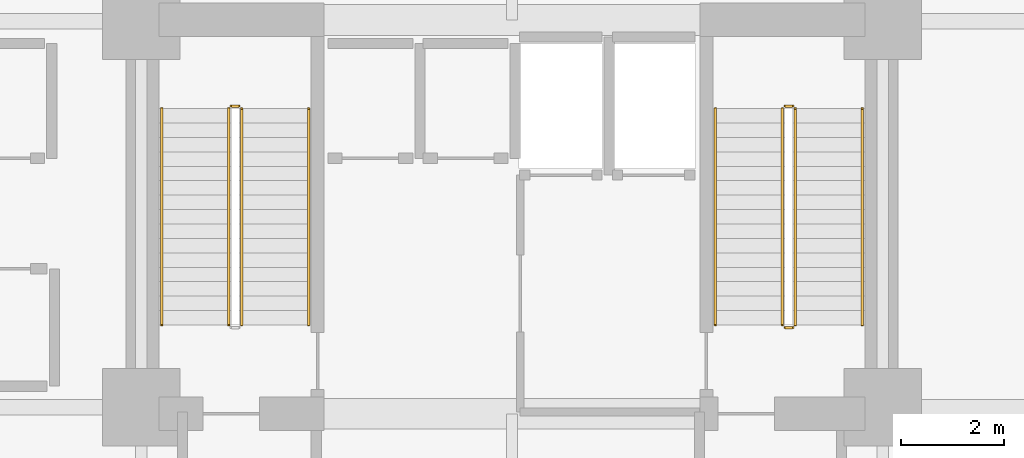
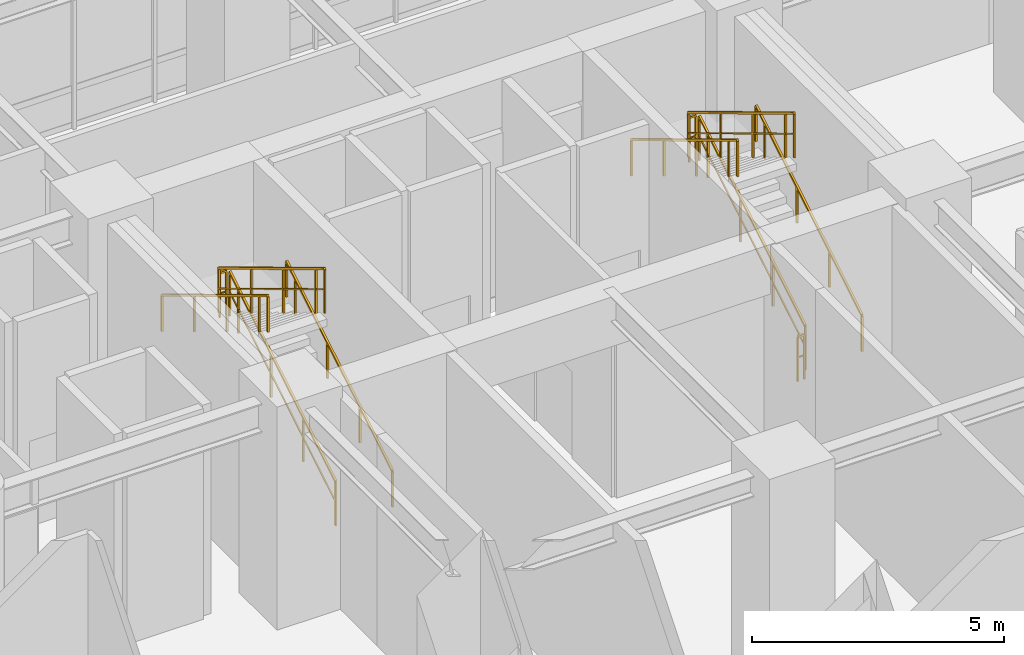
# One storey, part 21 of 22: 11 railings.
"""IFC4 building model written with IfcOpenShell, lengths in metres."""

from ifc_helpers import new_model, si_unit, direction, frame, origin, origin_2d, place, context, subcontext, project, spatial, rectangle, extrude, material, type_object, element, save


model = new_model("IFC4")

# Units and contexts
model_context = context("Model", 3, precision=1e-05, world=origin(), true_north=direction((0.0, 1.0)))
body_context = subcontext(model_context, "Body", "Model", "MODEL_VIEW")
ifc_project = project(units=[si_unit("LENGTHUNIT", "METRE"), si_unit("AREAUNIT", "SQUARE_METRE"), si_unit("VOLUMEUNIT", "CUBIC_METRE"), si_unit("PLANEANGLEUNIT", "RADIAN"), si_unit("MASSUNIT", "GRAM", prefix="KILO")], contexts=[model_context])

# Site, building, storey
site_placement = place(None, origin())
site = spatial("IfcSite", under=ifc_project, at=site_placement, CompositionType="ELEMENT")
building_placement = place(site_placement, origin())
building = spatial("IfcBuilding", under=site, at=building_placement, Name="Kaliganga Portal Commons", CompositionType="ELEMENT")
storey_placement = place(building_placement, origin())
storey = spatial("IfcBuildingStorey", under=building, at=storey_placement, Name="L00", CompositionType="ELEMENT", Elevation=0.0)

# Railings
ifc_material_1 = material(Name="Galvanized Painted Steel Balustrade", Category="steel")
railing_type_1 = type_object("IfcRailingType", Name="RLG-STAIR-GRD", PredefinedType="GUARDRAIL", material=ifc_material_1)
railing_1_placement = place(storey_placement, frame((16.35009765625, 30.25, 0.168701171875)))
element("IfcRailing", 1, at=railing_1_placement, inside=storey, type_object=railing_type_1, Name="L00 ST-A1 stair guard 1", PredefinedType="GUARDRAIL", context=body_context, shape_type="SweptSolid", body=[
    extrude(rectangle(XDim=0.048095703125, YDim=0.048095703125, at=origin_2d()), frame((0.0, 0.0, 1.072021484375), z_axis=(0.0, 0.856476492594, 0.516186030065), x_axis=(-1.0, 0.0, 0.0)), (0.0, 0.0, 1.0), 4.90380859375),
    extrude(rectangle(XDim=0.028076171875, YDim=0.028076171875, at=origin_2d()), frame((0.0, 0.0, 0.572021484375), z_axis=(0.0, 0.856476492594, 0.516186030065), x_axis=(-1.0, 0.0, 0.0)), (0.0, 0.0, 1.0), 4.90380859375),
    extrude(rectangle(XDim=0.0419921875, YDim=0.0419921875, at=origin_2d()), origin(), (0.0, 0.0, 1.0), 1.052001953125),
    extrude(rectangle(XDim=0.0419921875, YDim=0.0419921875, at=origin_2d()), frame((0.0, 1.28466796875, 0.774169921875)), (0.0, 0.0, 1.0), 1.052001953125),
    extrude(rectangle(XDim=0.0419921875, YDim=0.0419921875, at=origin_2d()), frame((0.0, 2.5693359375, 1.548583984375)), (0.0, 0.0, 1.0), 1.052001953125),
    extrude(rectangle(XDim=0.0419921875, YDim=0.0419921875, at=origin_2d()), frame((0.0, 3.854248046875, 2.32275390625)), (0.0, 0.0, 1.0), 1.052001953125),
    extrude(rectangle(XDim=0.0419921875, YDim=0.0419921875, at=origin_2d()), frame((0.0, 4.199951171875, 2.53125)), (0.0, 0.0, 1.0), 1.052001953125),
])
railing_2_placement = place(storey_placement, frame((16.300048828125, 34.5, 2.699951171875)))
element("IfcRailing", 2, at=railing_2_placement, inside=storey, type_object=railing_type_1, Name="L00 ST-A1 stair guard 2", PredefinedType="GUARDRAIL", context=body_context, shape_type="SweptSolid", body=[
    extrude(rectangle(XDim=0.048095703125, YDim=0.048095703125, at=origin_2d()), frame((0.0, 0.0, 1.076171875), z_axis=(-1.0, 0.0, 0.0), x_axis=(0.0, -1.0, 0.0)), (0.0, 0.0, 1.0), 0.150146484375),
    extrude(rectangle(XDim=0.028076171875, YDim=0.028076171875, at=origin_2d()), frame((0.0, 0.0, 0.572021484375), z_axis=(-1.0, 0.0, 0.0), x_axis=(0.0, -1.0, 0.0)), (0.0, 0.0, 1.0), 0.150146484375),
    extrude(rectangle(XDim=0.0419921875, YDim=0.0419921875, at=origin_2d()), origin(), (0.0, 0.0, 1.0), 1.052001953125),
    extrude(rectangle(XDim=0.0419921875, YDim=0.0419921875, at=origin_2d()), frame((-0.150146484375, 0.0, 0.0)), (0.0, 0.0, 1.0), 1.052001953125),
])
railing_3_placement = place(storey_placement, frame((16.10009765625, 34.449951171875, 2.86865234375)))
element("IfcRailing", 3, at=railing_3_placement, inside=storey, type_object=railing_type_1, Name="L00 ST-A1 stair guard 3", PredefinedType="GUARDRAIL", context=body_context, shape_type="SweptSolid", body=[
    extrude(rectangle(XDim=0.048095703125, YDim=0.048095703125, at=origin_2d()), frame((0.0, 0.0, 1.072021484375), z_axis=(0.0, -0.856476492594, 0.516186030065), x_axis=(1.0, 0.0, 0.0)), (0.0, 0.0, 1.0), 4.90380859375),
    extrude(rectangle(XDim=0.028076171875, YDim=0.028076171875, at=origin_2d()), frame((0.0, 0.0, 0.572021484375), z_axis=(0.0, -0.856476492594, 0.516186030065), x_axis=(1.0, 0.0, 0.0)), (0.0, 0.0, 1.0), 4.90380859375),
    extrude(rectangle(XDim=0.0419921875, YDim=0.0419921875, at=origin_2d()), origin(), (0.0, 0.0, 1.0), 1.052001953125),
    extrude(rectangle(XDim=0.0419921875, YDim=0.0419921875, at=origin_2d()), frame((0.0, -1.28466796875, 0.774169921875)), (0.0, 0.0, 1.0), 1.052001953125),
    extrude(rectangle(XDim=0.0419921875, YDim=0.0419921875, at=origin_2d()), frame((0.0, -2.5693359375, 1.548583984375)), (0.0, 0.0, 1.0), 1.052001953125),
    extrude(rectangle(XDim=0.0419921875, YDim=0.0419921875, at=origin_2d()), frame((0.0, -3.854248046875, 2.32275390625)), (0.0, 0.0, 1.0), 1.052001953125),
    extrude(rectangle(XDim=0.0419921875, YDim=0.0419921875, at=origin_2d()), frame((0.0, -4.199951171875, 2.53125)), (0.0, 0.0, 1.0), 1.052001953125),
])
railing_4_placement = place(storey_placement, frame((27.10009765625, 30.25, 0.168701171875)))
element("IfcRailing", 4, at=railing_4_placement, inside=storey, type_object=railing_type_1, Name="L00 ST-A2 stair guard 1", PredefinedType="GUARDRAIL", context=body_context, shape_type="SweptSolid", body=[
    extrude(rectangle(XDim=0.048095703125, YDim=0.048095703125, at=origin_2d()), frame((0.0, 0.0, 1.072021484375), z_axis=(0.0, 0.856476492594, 0.516186030065), x_axis=(-1.0, 0.0, 0.0)), (0.0, 0.0, 1.0), 4.90380859375),
    extrude(rectangle(XDim=0.028076171875, YDim=0.028076171875, at=origin_2d()), frame((0.0, 0.0, 0.572021484375), z_axis=(0.0, 0.856476492594, 0.516186030065), x_axis=(-1.0, 0.0, 0.0)), (0.0, 0.0, 1.0), 4.90380859375),
    extrude(rectangle(XDim=0.0419921875, YDim=0.0419921875, at=origin_2d()), origin(), (0.0, 0.0, 1.0), 1.052001953125),
    extrude(rectangle(XDim=0.0419921875, YDim=0.0419921875, at=origin_2d()), frame((0.0, 1.28466796875, 0.774169921875)), (0.0, 0.0, 1.0), 1.052001953125),
    extrude(rectangle(XDim=0.0419921875, YDim=0.0419921875, at=origin_2d()), frame((0.0, 2.5693359375, 1.548583984375)), (0.0, 0.0, 1.0), 1.052001953125),
    extrude(rectangle(XDim=0.0419921875, YDim=0.0419921875, at=origin_2d()), frame((0.0, 3.854248046875, 2.32275390625)), (0.0, 0.0, 1.0), 1.052001953125),
    extrude(rectangle(XDim=0.0419921875, YDim=0.0419921875, at=origin_2d()), frame((0.0, 4.199951171875, 2.53125)), (0.0, 0.0, 1.0), 1.052001953125),
])
railing_5_placement = place(storey_placement, frame((27.050048828125, 34.5, 2.699951171875)))
element("IfcRailing", 5, at=railing_5_placement, inside=storey, type_object=railing_type_1, Name="L00 ST-A2 stair guard 2", PredefinedType="GUARDRAIL", context=body_context, shape_type="SweptSolid", body=[
    extrude(rectangle(XDim=0.048095703125, YDim=0.048095703125, at=origin_2d()), frame((0.0, 0.0, 1.076171875), z_axis=(-1.0, 0.0, 0.0), x_axis=(0.0, -1.0, 0.0)), (0.0, 0.0, 1.0), 0.150146484375),
    extrude(rectangle(XDim=0.028076171875, YDim=0.028076171875, at=origin_2d()), frame((0.0, 0.0, 0.572021484375), z_axis=(-1.0, 0.0, 0.0), x_axis=(0.0, -1.0, 0.0)), (0.0, 0.0, 1.0), 0.150146484375),
    extrude(rectangle(XDim=0.0419921875, YDim=0.0419921875, at=origin_2d()), origin(), (0.0, 0.0, 1.0), 1.052001953125),
    extrude(rectangle(XDim=0.0419921875, YDim=0.0419921875, at=origin_2d()), frame((-0.150146484375, 0.0, 0.0)), (0.0, 0.0, 1.0), 1.052001953125),
])
railing_6_placement = place(storey_placement, frame((26.85009765625, 34.449951171875, 2.86865234375)))
element("IfcRailing", 6, at=railing_6_placement, inside=storey, type_object=railing_type_1, Name="L00 ST-A2 stair guard 3", PredefinedType="GUARDRAIL", context=body_context, shape_type="SweptSolid", body=[
    extrude(rectangle(XDim=0.048095703125, YDim=0.048095703125, at=origin_2d()), frame((0.0, 0.0, 1.072021484375), z_axis=(0.0, -0.856476492594, 0.516186030065), x_axis=(1.0, 0.0, 0.0)), (0.0, 0.0, 1.0), 4.90380859375),
    extrude(rectangle(XDim=0.028076171875, YDim=0.028076171875, at=origin_2d()), frame((0.0, 0.0, 0.572021484375), z_axis=(0.0, -0.856476492594, 0.516186030065), x_axis=(1.0, 0.0, 0.0)), (0.0, 0.0, 1.0), 4.90380859375),
    extrude(rectangle(XDim=0.0419921875, YDim=0.0419921875, at=origin_2d()), origin(), (0.0, 0.0, 1.0), 1.052001953125),
    extrude(rectangle(XDim=0.0419921875, YDim=0.0419921875, at=origin_2d()), frame((0.0, -1.28466796875, 0.774169921875)), (0.0, 0.0, 1.0), 1.052001953125),
    extrude(rectangle(XDim=0.0419921875, YDim=0.0419921875, at=origin_2d()), frame((0.0, -2.5693359375, 1.548583984375)), (0.0, 0.0, 1.0), 1.052001953125),
    extrude(rectangle(XDim=0.0419921875, YDim=0.0419921875, at=origin_2d()), frame((0.0, -3.854248046875, 2.32275390625)), (0.0, 0.0, 1.0), 1.052001953125),
    extrude(rectangle(XDim=0.0419921875, YDim=0.0419921875, at=origin_2d()), frame((0.0, -4.199951171875, 2.53125)), (0.0, 0.0, 1.0), 1.052001953125),
])
railing_7_placement = place(storey_placement, frame((27.050048828125, 30.199951171875, 0.0)))
element("IfcRailing", 7, at=railing_7_placement, inside=storey, type_object=railing_type_1, Name="L00 ST-A2 stair guard 4", PredefinedType="GUARDRAIL", context=body_context, shape_type="SweptSolid", body=[
    extrude(rectangle(XDim=0.048095703125, YDim=0.048095703125, at=origin_2d()), frame((0.0, 0.0, 1.076171875), z_axis=(-1.0, 0.0, 0.0), x_axis=(0.0, -1.0, 0.0)), (0.0, 0.0, 1.0), 0.150146484375),
    extrude(rectangle(XDim=0.028076171875, YDim=0.028076171875, at=origin_2d()), frame((0.0, 0.0, 0.572021484375), z_axis=(-1.0, 0.0, 0.0), x_axis=(0.0, -1.0, 0.0)), (0.0, 0.0, 1.0), 0.150146484375),
    extrude(rectangle(XDim=0.0419921875, YDim=0.0419921875, at=origin_2d()), origin(), (0.0, 0.0, 1.0), 1.052001953125),
    extrude(rectangle(XDim=0.0419921875, YDim=0.0419921875, at=origin_2d()), frame((-0.150146484375, 0.0, 0.0)), (0.0, 0.0, 1.0), 1.052001953125),
])
ifc_material_2 = material(Name="Brushed Stainless Steel 316", Category="steel")
railing_type_2 = type_object("IfcRailingType", Name="RLG-STAIR-HR", PredefinedType="HANDRAIL", material=ifc_material_2)
railing_8_placement = place(storey_placement, frame((17.64990234375, 30.25, 0.168701171875)))
element("IfcRailing", 8, at=railing_8_placement, inside=storey, type_object=railing_type_2, Name="L00 ST-A1 stair handrail 1", PredefinedType="HANDRAIL", context=body_context, shape_type="SweptSolid", body=[
    extrude(rectangle(XDim=0.048095703125, YDim=0.048095703125, at=origin_2d()), frame((0.0, 0.0, 0.871826171875), z_axis=(0.0, 0.856476492594, 0.516186030065), x_axis=(-1.0, 0.0, 0.0)), (0.0, 0.0, 1.0), 4.90380859375),
    extrude(rectangle(XDim=0.0419921875, YDim=0.0419921875, at=origin_2d()), origin(), (0.0, 0.0, 1.0), 0.851806640625),
    extrude(rectangle(XDim=0.0419921875, YDim=0.0419921875, at=origin_2d()), frame((0.0, 1.28466796875, 0.774169921875)), (0.0, 0.0, 1.0), 0.851806640625),
    extrude(rectangle(XDim=0.0419921875, YDim=0.0419921875, at=origin_2d()), frame((0.0, 2.5693359375, 1.548583984375)), (0.0, 0.0, 1.0), 0.851806640625),
    extrude(rectangle(XDim=0.0419921875, YDim=0.0419921875, at=origin_2d()), frame((0.0, 3.854248046875, 2.32275390625)), (0.0, 0.0, 1.0), 0.851806640625),
    extrude(rectangle(XDim=0.0419921875, YDim=0.0419921875, at=origin_2d()), frame((0.0, 4.199951171875, 2.53125)), (0.0, 0.0, 1.0), 0.851806640625),
])
railing_9_placement = place(storey_placement, frame((14.800048828125, 34.449951171875, 2.86865234375)))
element("IfcRailing", 9, at=railing_9_placement, inside=storey, type_object=railing_type_2, Name="L00 ST-A1 stair handrail 2", PredefinedType="HANDRAIL", context=body_context, shape_type="SweptSolid", body=[
    extrude(rectangle(XDim=0.048095703125, YDim=0.048095703125, at=origin_2d()), frame((0.0, 0.0, 0.871826171875), z_axis=(0.0, -0.856476492594, 0.516186030065), x_axis=(1.0, 0.0, 0.0)), (0.0, 0.0, 1.0), 4.90380859375),
    extrude(rectangle(XDim=0.0419921875, YDim=0.0419921875, at=origin_2d()), origin(), (0.0, 0.0, 1.0), 0.851806640625),
    extrude(rectangle(XDim=0.0419921875, YDim=0.0419921875, at=origin_2d()), frame((0.0, -1.28466796875, 0.774169921875)), (0.0, 0.0, 1.0), 0.851806640625),
    extrude(rectangle(XDim=0.0419921875, YDim=0.0419921875, at=origin_2d()), frame((0.0, -2.5693359375, 1.548583984375)), (0.0, 0.0, 1.0), 0.851806640625),
    extrude(rectangle(XDim=0.0419921875, YDim=0.0419921875, at=origin_2d()), frame((0.0, -3.854248046875, 2.32275390625)), (0.0, 0.0, 1.0), 0.851806640625),
    extrude(rectangle(XDim=0.0419921875, YDim=0.0419921875, at=origin_2d()), frame((0.0, -4.199951171875, 2.53125)), (0.0, 0.0, 1.0), 0.851806640625),
])
railing_10_placement = place(storey_placement, frame((28.39990234375, 30.25, 0.168701171875)))
element("IfcRailing", 10, at=railing_10_placement, inside=storey, type_object=railing_type_2, Name="L00 ST-A2 stair handrail 1", PredefinedType="HANDRAIL", context=body_context, shape_type="SweptSolid", body=[
    extrude(rectangle(XDim=0.048095703125, YDim=0.048095703125, at=origin_2d()), frame((0.0, 0.0, 0.871826171875), z_axis=(0.0, 0.856476492594, 0.516186030065), x_axis=(-1.0, 0.0, 0.0)), (0.0, 0.0, 1.0), 4.90380859375),
    extrude(rectangle(XDim=0.0419921875, YDim=0.0419921875, at=origin_2d()), origin(), (0.0, 0.0, 1.0), 0.851806640625),
    extrude(rectangle(XDim=0.0419921875, YDim=0.0419921875, at=origin_2d()), frame((0.0, 1.28466796875, 0.774169921875)), (0.0, 0.0, 1.0), 0.851806640625),
    extrude(rectangle(XDim=0.0419921875, YDim=0.0419921875, at=origin_2d()), frame((0.0, 2.5693359375, 1.548583984375)), (0.0, 0.0, 1.0), 0.851806640625),
    extrude(rectangle(XDim=0.0419921875, YDim=0.0419921875, at=origin_2d()), frame((0.0, 3.854248046875, 2.32275390625)), (0.0, 0.0, 1.0), 0.851806640625),
    extrude(rectangle(XDim=0.0419921875, YDim=0.0419921875, at=origin_2d()), frame((0.0, 4.199951171875, 2.53125)), (0.0, 0.0, 1.0), 0.851806640625),
])
railing_11_placement = place(storey_placement, frame((25.550048828125, 34.449951171875, 2.86865234375)))
element("IfcRailing", 11, at=railing_11_placement, inside=storey, type_object=railing_type_2, Name="L00 ST-A2 stair handrail 2", PredefinedType="HANDRAIL", context=body_context, shape_type="SweptSolid", body=[
    extrude(rectangle(XDim=0.048095703125, YDim=0.048095703125, at=origin_2d()), frame((0.0, 0.0, 0.871826171875), z_axis=(0.0, -0.856476492594, 0.516186030065), x_axis=(1.0, 0.0, 0.0)), (0.0, 0.0, 1.0), 4.90380859375),
    extrude(rectangle(XDim=0.0419921875, YDim=0.0419921875, at=origin_2d()), origin(), (0.0, 0.0, 1.0), 0.851806640625),
    extrude(rectangle(XDim=0.0419921875, YDim=0.0419921875, at=origin_2d()), frame((0.0, -1.28466796875, 0.774169921875)), (0.0, 0.0, 1.0), 0.851806640625),
    extrude(rectangle(XDim=0.0419921875, YDim=0.0419921875, at=origin_2d()), frame((0.0, -2.5693359375, 1.548583984375)), (0.0, 0.0, 1.0), 0.851806640625),
    extrude(rectangle(XDim=0.0419921875, YDim=0.0419921875, at=origin_2d()), frame((0.0, -3.854248046875, 2.32275390625)), (0.0, 0.0, 1.0), 0.851806640625),
    extrude(rectangle(XDim=0.0419921875, YDim=0.0419921875, at=origin_2d()), frame((0.0, -4.199951171875, 2.53125)), (0.0, 0.0, 1.0), 0.851806640625),
])

save(model, "model.ifc")
